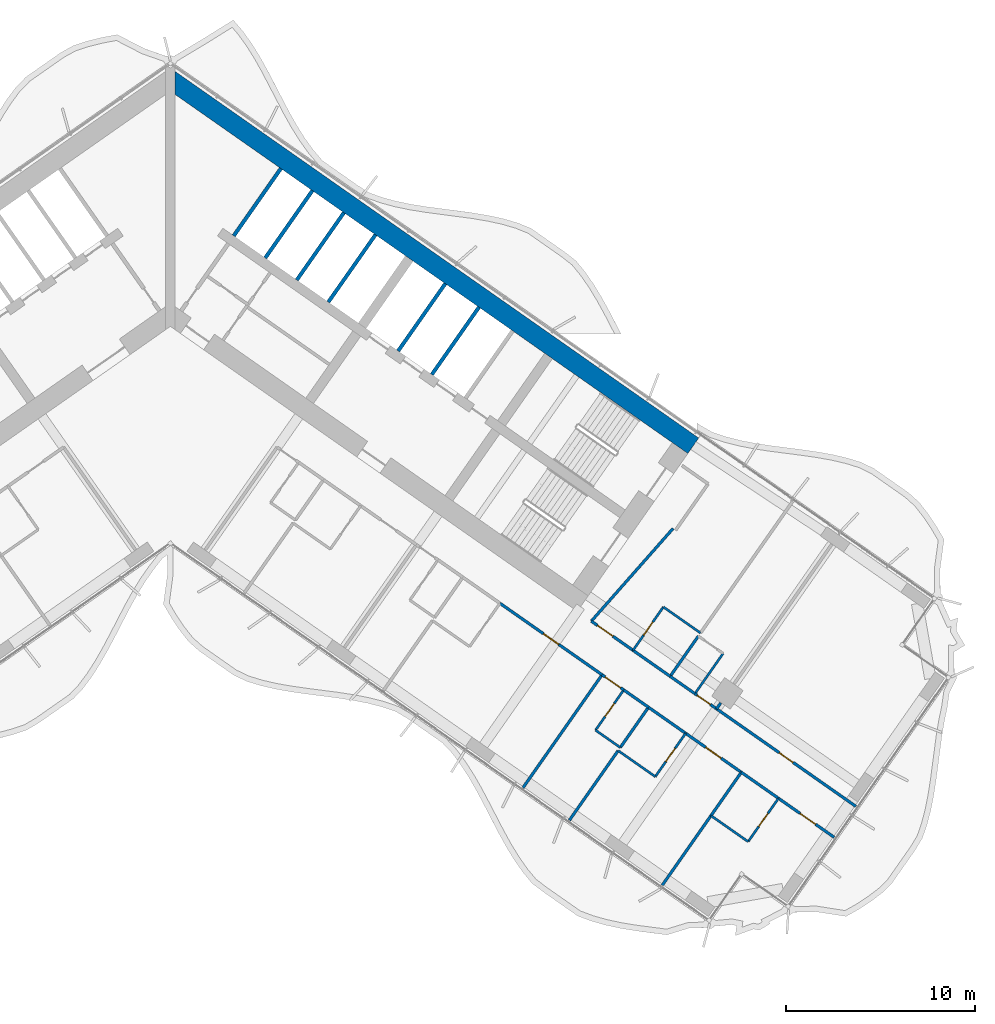
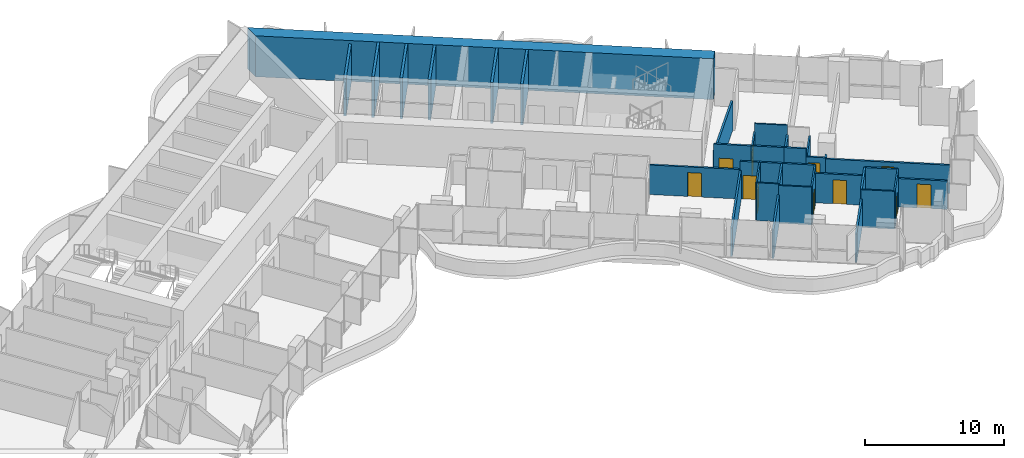
# One storey, part 16 of 24: 36 walls, 11 doors, 11 openings.
"""IFC4 building model written with IfcOpenShell, lengths in metres."""

from ifc_helpers import new_model, si_unit, direction, frame, frame_2d, origin, place, context, subcontext, project, spatial, polyline, rectangle, outline, extrude, material, layer, layer_set, type_object, element, fill, save


model = new_model("IFC4")

# Units and contexts
model_context = context("Model", 3, precision=1e-05, world=origin(), true_north=direction((0.0, 1.0)))
body_context = subcontext(model_context, "Body", "Model", "MODEL_VIEW")
ifc_project = project(units=[si_unit("LENGTHUNIT", "METRE"), si_unit("AREAUNIT", "SQUARE_METRE"), si_unit("VOLUMEUNIT", "CUBIC_METRE"), si_unit("PLANEANGLEUNIT", "RADIAN"), si_unit("MASSUNIT", "GRAM", prefix="KILO")], contexts=[model_context])

# Site, building, storey
site_placement = place(None, origin())
site = spatial("IfcSite", under=ifc_project, at=site_placement, CompositionType="ELEMENT")
building_placement = place(site_placement, origin())
building = spatial("IfcBuilding", under=site, at=building_placement, Name="Tel Ilan Convention Tower", CompositionType="ELEMENT")
storey_placement = place(building_placement, frame((0.0, 0.0, 90.5)))
storey = spatial("IfcBuildingStorey", under=building, at=storey_placement, Name="L18", CompositionType="ELEMENT", Elevation=90.5)

# Walls
ifc_material_1 = material(Name="Concrete C30/37", Category="concrete")
ifc_layer_1 = layer(ifc_material_1, 0.199951171875)
ifc_layer_set_1 = layer_set([ifc_layer_1], Name="Core Service Room Wall 200 mm C30/37")
wall_type_1 = type_object("IfcWallType", Name="Core Service Room Wall 200 mm C30/37", PredefinedType="SOLIDWALL", material=ifc_layer_set_1)
wall_1_placement = place(storey_placement, frame((3.355224609375, 3.5712890625, 0.0), z_axis=(0.0, 0.0, 1.0), x_axis=(0.57356780395, 0.819158088694, 0.0)))
element("IfcWall", 1, at=wall_1_placement, inside=storey, type_object=wall_type_1, Name="L18 core wall apex-E-b", PredefinedType="SOLIDWALL", context=body_context, shape_type="SweptSolid", body=[
    extrude(rectangle(XDim=4.35009765625, YDim=0.199951171875, at=frame_2d((2.175048828125, 0.0))), origin(), (0.0, 0.0, 1.0), 3.320068359375),
])
ifc_material_2 = material(Name="Concrete C60/75", Category="concrete")
ifc_layer_2 = layer(ifc_material_2, 1.0)
ifc_layer_set_2 = layer_set([ifc_layer_2], Name="Core Shear Wall 1000 mm C60/75")
wall_type_2 = type_object("IfcWallType", Name="Core Shear Wall 1000 mm C60/75", PredefinedType="SHEAR", material=ifc_layer_set_2)
wall_2_placement = place(storey_placement, frame((-0.036865234375, 11.8671875, 0.0), z_axis=(0.0, 0.0, 1.0), x_axis=(0.819155306259, -0.573571777746, 0.0)))
element("IfcWall", 2, at=wall_2_placement, inside=storey, type_object=wall_type_2, Name="L18 core wall E-back", PredefinedType="SHEAR", context=body_context, shape_type="SweptSolid", body=[
    extrude(outline(polyline([(33.8369140625, 0.5), (0.0, 0.5), (0.7001953125, -0.499755859375), (33.8369140625, -0.5), (33.8369140625, 0.5)])), origin(), (0.0, 0.0, 1.0), 3.60009765625),
])

# Wall, opening, door
ifc_material_3 = material(Name="Plasterboard on Steel Studs", Category="steel")
ifc_layer_3 = layer(ifc_material_3, 0.14990234375)
ifc_layer_set_3 = layer_set([ifc_layer_3], Name="Fire-rated Partition 150 EI 60")
wall_type_3 = type_object("IfcWallType", Name="Fire-rated Partition 150 EI 60", PredefinedType="PARTITIONING", material=ifc_layer_set_3)
wall_3_placement = place(storey_placement, frame((22.28369140625, -16.823974609375, 0.0), z_axis=(0.0, 0.0, 1.0), x_axis=(0.819176640776, -0.573541307325, 0.0)))
wall_3 = element("IfcWall", 3, at=wall_3_placement, inside=storey, type_object=wall_type_3, Name="Partition 001", PredefinedType="PARTITIONING", context=body_context, shape_type="SweptSolid", body=[
    extrude(rectangle(XDim=2.697509765625, YDim=0.14990234375, at=frame_2d((1.3486328125, 0.0))), origin(), (0.0, 0.0, 1.0), 3.320068359375),
])
opening_1_placement = place(wall_3_placement, frame((0.396240234375, 0.0, 0.0)))
opening_1 = element("IfcOpeningElement", 4, at=opening_1_placement, cuts=wall_3, Name="Opening L18-040", PredefinedType="OPENING", context=body_context, shape_type="SweptSolid", body=[
    extrude(rectangle(XDim=1.0, YDim=2.10009765625, at=frame_2d((0.5, 1.050048828125))), frame((0.0, 0.0849609375, 0.0), z_axis=(0.0, -1.0, 0.0), x_axis=(1.0, 0.0, 0.0)), (0.0, 0.0, 1.0), 0.169921875),
])
ifc_material_4 = material(Name="Timber Door Leaf in Steel Frame", Category="steel")
door_type_1 = type_object("IfcDoorType", Name="Hotel Room Entrance Fire Door 1000x2100", OperationType="NOTDEFINED", PredefinedType="DOOR", material=ifc_material_4)
door_1_placement = place(opening_1_placement, origin())
door_1 = element("IfcDoor", 5, at=door_1_placement, inside=storey, type_object=door_type_1, Name="Door L18-040", OperationType="SINGLE_SWING_RIGHT", OverallHeight=2.10009765625, OverallWidth=1.0, PredefinedType="DOOR", context=body_context, shape_type="SweptSolid", body=[
    extrude(rectangle(XDim=1.0, YDim=2.10009765625, at=frame_2d((0.5, 1.050048828125))), frame((0.0, 0.02490234375, 0.0), z_axis=(0.0, -1.0, 0.0), x_axis=(1.0, 0.0, 0.0)), (0.0, 0.0, 1.0), 0.050048828125),
])
fill(opening_1, door_1)

# Wall
wall_4_placement = place(storey_placement, frame((24.49072265625, -18.369384765625, 0.0), z_axis=(0.0, 0.0, 1.0), x_axis=(0.819179439794, -0.573537309527, 0.0)))
element("IfcWall", 6, at=wall_4_placement, inside=storey, type_object=wall_type_3, Name="Partition 002", PredefinedType="PARTITIONING", context=body_context, shape_type="SweptSolid", body=[
    extrude(rectangle(XDim=2.404296875, YDim=0.14990234375, at=frame_2d((1.2021484375, 0.0))), origin(), (0.0, 0.0, 1.0), 3.320068359375),
])

# Wall, opening, door
wall_5_placement = place(storey_placement, frame((28.91748046875, -21.468994140625, 0.0), z_axis=(0.0, 0.0, 1.0), x_axis=(-0.81914197737, 0.573590813132, 0.0)))
wall_5 = element("IfcWall", 7, at=wall_5_placement, inside=storey, type_object=wall_type_3, Name="Partition 003", PredefinedType="PARTITIONING", context=body_context, shape_type="SweptSolid", body=[
    extrude(rectangle(XDim=1.40283203125, YDim=0.14990234375, at=frame_2d((0.701416015625, 0.0))), origin(), (0.0, 0.0, 1.0), 2.60009765625),
])
opening_2_placement = place(wall_5_placement, frame((0.403076171875, 0.0, 0.0)))
opening_2 = element("IfcOpeningElement", 8, at=opening_2_placement, cuts=wall_5, Name="Opening L18-042", PredefinedType="OPENING", context=body_context, shape_type="SweptSolid", body=[
    extrude(rectangle(XDim=0.85009765625, YDim=2.10009765625, at=frame_2d((0.425048828125, 1.050048828125))), frame((0.0, 0.0849609375, 0.0), z_axis=(0.0, -1.0, 0.0), x_axis=(1.0, 0.0, 0.0)), (0.0, 0.0, 1.0), 0.169921875),
])
ifc_material_5 = material(Name="Timber Door Leaf in Steel Frame", Category="steel")
door_type_2 = type_object("IfcDoorType", Name="Room Fire Door 850x2100", OperationType="NOTDEFINED", PredefinedType="DOOR", material=ifc_material_5)
door_2_placement = place(opening_2_placement, origin())
door_2 = element("IfcDoor", 9, at=door_2_placement, inside=storey, type_object=door_type_2, Name="Door L18-042", OperationType="SINGLE_SWING_RIGHT", OverallHeight=2.10009765625, OverallWidth=0.85009765625, PredefinedType="DOOR", context=body_context, shape_type="SweptSolid", body=[
    extrude(rectangle(XDim=0.85009765625, YDim=2.10009765625, at=frame_2d((0.425048828125, 1.050048828125))), frame((0.0, 0.02490234375, 0.0), z_axis=(0.0, -1.0, 0.0), x_axis=(1.0, 0.0, 0.0)), (0.0, 0.0, 1.0), 0.050048828125),
])
fill(opening_2, door_2)

# Wall
wall_6_placement = place(storey_placement, frame((26.456787109375, -19.74609375, 0.0), z_axis=(0.0, 0.0, 1.0), x_axis=(0.819189013667, -0.573523634986, 0.0)))
element("IfcWall", 10, at=wall_6_placement, inside=storey, type_object=wall_type_3, Name="Partition 004", PredefinedType="PARTITIONING", context=body_context, shape_type="SweptSolid", body=[
    extrude(rectangle(XDim=1.60400390625, YDim=0.14990234375, at=frame_2d((0.802001953125, 0.0))), origin(), (0.0, 0.0, 1.0), 3.320068359375),
])

# Wall, opening, door
wall_7_placement = place(storey_placement, frame((28.914306640625, -21.466796875, 0.0), z_axis=(0.0, 0.0, 1.0), x_axis=(0.81915291695, -0.57357519006, 0.0)))
wall_7 = element("IfcWall", 11, at=wall_7_placement, inside=storey, type_object=wall_type_3, Name="Partition 005", PredefinedType="PARTITIONING", context=body_context, shape_type="SweptSolid", body=[
    extrude(rectangle(XDim=9.001953125, YDim=0.14990234375, at=frame_2d((4.5009765625, 0.0))), origin(), (0.0, 0.0, 1.0), 2.5),
])
opening_3_placement = place(wall_7_placement, frame((4.051025390625, 0.0, 0.0)))
opening_3 = element("IfcOpeningElement", 12, at=opening_3_placement, cuts=wall_7, Name="Opening L18-043", PredefinedType="OPENING", context=body_context, shape_type="SweptSolid", body=[
    extrude(rectangle(XDim=0.89990234375, YDim=2.10009765625, at=frame_2d((0.449951171875, 1.050048828125))), frame((0.0, 0.0849609375, 0.0), z_axis=(0.0, -1.0, 0.0), x_axis=(1.0, 0.0, 0.0)), (0.0, 0.0, 1.0), 0.169921875),
])
ifc_material_6 = material(Name="Timber Door Leaf in Steel Frame", Category="steel")
door_type_3 = type_object("IfcDoorType", Name="Room Fire Door 900x2100", OperationType="NOTDEFINED", PredefinedType="DOOR", material=ifc_material_6)
door_3_placement = place(opening_3_placement, origin())
door_3 = element("IfcDoor", 13, at=door_3_placement, inside=storey, type_object=door_type_3, Name="Door L18-043", OperationType="SINGLE_SWING_RIGHT", OverallHeight=2.10009765625, OverallWidth=0.89990234375, PredefinedType="DOOR", context=body_context, shape_type="SweptSolid", body=[
    extrude(rectangle(XDim=0.89990234375, YDim=2.10009765625, at=frame_2d((0.449951171875, 1.050048828125))), frame((0.0, 0.02490234375, 0.0), z_axis=(0.0, -1.0, 0.0), x_axis=(1.0, 0.0, 0.0)), (0.0, 0.0, 1.0), 0.050048828125),
])
fill(opening_3, door_3)

wall_8_placement = place(storey_placement, frame((22.85546875, -19.666015625, 0.0), z_axis=(0.0, 0.0, 1.0), x_axis=(-0.819153746897, 0.573574004767, 0.0)))
wall_8 = element("IfcWall", 14, at=wall_8_placement, inside=storey, type_object=wall_type_3, Name="Partition 012", PredefinedType="PARTITIONING", context=body_context, shape_type="SweptSolid", body=[
    extrude(rectangle(XDim=6.60302734375, YDim=0.14990234375, at=frame_2d((3.301513671875, 0.0))), origin(), (0.0, 0.0, 1.0), 2.60009765625),
])
opening_4_placement = place(wall_8_placement, frame((2.802001953125, 0.0, 0.0)))
opening_4 = element("IfcOpeningElement", 15, at=opening_4_placement, cuts=wall_8, Name="Opening L18-032", PredefinedType="OPENING", context=body_context, shape_type="SweptSolid", body=[
    extrude(rectangle(XDim=1.0, YDim=2.10009765625, at=frame_2d((0.5, 1.050048828125))), frame((0.0, 0.0849609375, 0.0), z_axis=(0.0, -1.0, 0.0), x_axis=(1.0, 0.0, 0.0)), (0.0, 0.0, 1.0), 0.169921875),
])
door_4_placement = place(opening_4_placement, origin())
door_4 = element("IfcDoor", 16, at=door_4_placement, inside=storey, type_object=door_type_1, Name="Door L18-032", OperationType="SINGLE_SWING_LEFT", OverallHeight=2.10009765625, OverallWidth=1.0, PredefinedType="DOOR", context=body_context, shape_type="SweptSolid", body=[
    extrude(rectangle(XDim=1.0, YDim=2.10009765625, at=frame_2d((0.5, 1.050048828125))), frame((0.0, 0.02490234375, 0.0), z_axis=(0.0, -1.0, 0.0), x_axis=(1.0, 0.0, 0.0)), (0.0, 0.0, 1.0), 0.050048828125),
])
fill(opening_4, door_4)

wall_9_placement = place(storey_placement, frame((24.00146484375, -20.46826171875, 0.0), z_axis=(0.0, 0.0, 1.0), x_axis=(-0.81914197737, 0.573590813132, 0.0)))
wall_9 = element("IfcWall", 17, at=wall_9_placement, inside=storey, type_object=wall_type_3, Name="Partition 014", PredefinedType="PARTITIONING", context=body_context, shape_type="SweptSolid", body=[
    extrude(rectangle(XDim=1.40283203125, YDim=0.14990234375, at=frame_2d((0.701416015625, 0.0))), origin(), (0.0, 0.0, 1.0), 3.320068359375),
])
opening_5_placement = place(wall_9_placement, frame((0.200927734375, 0.0, 0.0)))
opening_5 = element("IfcOpeningElement", 18, at=opening_5_placement, cuts=wall_9, Name="Opening L18-034", PredefinedType="OPENING", context=body_context, shape_type="SweptSolid", body=[
    extrude(rectangle(XDim=1.0, YDim=2.10009765625, at=frame_2d((0.5, 1.050048828125))), frame((0.0, 0.0849609375, 0.0), z_axis=(0.0, -1.0, 0.0), x_axis=(1.0, 0.0, 0.0)), (0.0, 0.0, 1.0), 0.169921875),
])
door_5_placement = place(opening_5_placement, origin())
door_5 = element("IfcDoor", 19, at=door_5_placement, inside=storey, type_object=door_type_1, Name="Door L18-034", OperationType="SINGLE_SWING_LEFT", OverallHeight=2.10009765625, OverallWidth=1.0, PredefinedType="DOOR", context=body_context, shape_type="SweptSolid", body=[
    extrude(rectangle(XDim=1.0, YDim=2.10009765625, at=frame_2d((0.5, 1.050048828125))), frame((0.0, 0.02490234375, 0.0), z_axis=(0.0, -1.0, 0.0), x_axis=(1.0, 0.0, 0.0)), (0.0, 0.0, 1.0), 0.050048828125),
])
fill(opening_5, door_5)

# Wall
wall_10_placement = place(storey_placement, frame((25.31298828125, -21.38671875, 0.0), z_axis=(0.0, 0.0, 1.0), x_axis=(-0.819117502046, 0.573625764625, 0.0)))
element("IfcWall", 20, at=wall_10_placement, inside=storey, type_object=wall_type_3, Name="Partition 015", PredefinedType="PARTITIONING", context=body_context, shape_type="SweptSolid", body=[
    extrude(rectangle(XDim=1.60400390625, YDim=0.14990234375, at=frame_2d((0.802001953125, 0.0))), origin(), (0.0, 0.0, 1.0), 3.320068359375),
])

# Wall, opening, door
wall_11_placement = place(storey_placement, frame((30.227783203125, -24.828125, 0.0), z_axis=(0.0, 0.0, 1.0), x_axis=(-0.819145961204, 0.573585123798, 0.0)))
wall_11 = element("IfcWall", 21, at=wall_11_placement, inside=storey, type_object=wall_type_3, Name="Partition 016", PredefinedType="PARTITIONING", context=body_context, shape_type="SweptSolid", body=[
    extrude(rectangle(XDim=3.60302734375, YDim=0.14990234375, at=frame_2d((1.801513671875, 0.0))), origin(), (0.0, 0.0, 1.0), 2.60009765625),
])
opening_6_placement = place(wall_11_placement, frame((1.302001953125, 0.0, 0.0)))
opening_6 = element("IfcOpeningElement", 22, at=opening_6_placement, cuts=wall_11, Name="Opening L18-036", PredefinedType="OPENING", context=body_context, shape_type="SweptSolid", body=[
    extrude(rectangle(XDim=1.0, YDim=2.10009765625, at=frame_2d((0.5, 1.050048828125))), frame((0.0, 0.0849609375, 0.0), z_axis=(0.0, -1.0, 0.0), x_axis=(1.0, 0.0, 0.0)), (0.0, 0.0, 1.0), 0.169921875),
])
door_6_placement = place(opening_6_placement, origin())
door_6 = element("IfcDoor", 23, at=door_6_placement, inside=storey, type_object=door_type_1, Name="Door L18-036", OperationType="SINGLE_SWING_RIGHT", OverallHeight=2.10009765625, OverallWidth=1.0, PredefinedType="DOOR", context=body_context, shape_type="SweptSolid", body=[
    extrude(rectangle(XDim=1.0, YDim=2.10009765625, at=frame_2d((0.5, 1.050048828125))), frame((0.0, 0.02490234375, 0.0), z_axis=(0.0, -1.0, 0.0), x_axis=(1.0, 0.0, 0.0)), (0.0, 0.0, 1.0), 0.050048828125),
])
fill(opening_6, door_6)

# Wall
wall_12_placement = place(storey_placement, frame((27.27880859375, -22.76318359375, 0.0), z_axis=(0.0, 0.0, 1.0), x_axis=(-0.819146032251, 0.573585022335, 0.0)))
element("IfcWall", 24, at=wall_12_placement, inside=storey, type_object=wall_type_3, Name="Partition 017", PredefinedType="PARTITIONING", context=body_context, shape_type="SweptSolid", body=[
    extrude(rectangle(XDim=2.404052734375, YDim=0.14990234375, at=frame_2d((1.2021484375, 0.0))), origin(), (0.0, 0.0, 1.0), 3.320068359375),
])

# Wall, opening, door
wall_13_placement = place(storey_placement, frame((35.14111328125, -28.268310546875, 0.0), z_axis=(0.0, 0.0, 1.0), x_axis=(-0.819149096931, 0.573580645591, 0.0)))
wall_13 = element("IfcWall", 25, at=wall_13_placement, inside=storey, type_object=wall_type_3, Name="Partition 018", PredefinedType="PARTITIONING", context=body_context, shape_type="SweptSolid", body=[
    extrude(rectangle(XDim=3.600830078125, YDim=0.14990234375, at=frame_2d((1.80029296875, 0.0))), origin(), (0.0, 0.0, 1.0), 2.5),
])
opening_7_placement = place(wall_13_placement, frame((1.199951171875, 0.0, 0.0)))
opening_7 = element("IfcOpeningElement", 26, at=opening_7_placement, cuts=wall_13, Name="Opening L18-038", PredefinedType="OPENING", context=body_context, shape_type="SweptSolid", body=[
    extrude(rectangle(XDim=1.0, YDim=2.10009765625, at=frame_2d((0.5, 1.050048828125))), frame((0.0, 0.0849609375, 0.0), z_axis=(0.0, -1.0, 0.0), x_axis=(1.0, 0.0, 0.0)), (0.0, 0.0, 1.0), 0.169921875),
])
door_7_placement = place(opening_7_placement, origin())
door_7 = element("IfcDoor", 27, at=door_7_placement, inside=storey, type_object=door_type_1, Name="Door L18-038", OperationType="SINGLE_SWING_LEFT", OverallHeight=2.10009765625, OverallWidth=1.0, PredefinedType="DOOR", context=body_context, shape_type="SweptSolid", body=[
    extrude(rectangle(XDim=1.0, YDim=2.10009765625, at=frame_2d((0.5, 1.050048828125))), frame((0.0, 0.02490234375, 0.0), z_axis=(0.0, -1.0, 0.0), x_axis=(1.0, 0.0, 0.0)), (0.0, 0.0, 1.0), 0.050048828125),
])
fill(opening_7, door_7)

# Walls
wall_14_placement = place(storey_placement, frame((32.19384765625, -26.20458984375, 0.0), z_axis=(0.0, 0.0, 1.0), x_axis=(-0.819146032251, 0.573585022335, 0.0)))
element("IfcWall", 28, at=wall_14_placement, inside=storey, type_object=wall_type_3, Name="Partition 019", PredefinedType="PARTITIONING", context=body_context, shape_type="SweptSolid", body=[
    extrude(rectangle(XDim=2.404052734375, YDim=0.14990234375, at=frame_2d((1.2021484375, 0.0))), origin(), (0.0, 0.0, 1.0), 3.320068359375),
])
wall_15_placement = place(storey_placement, frame((22.285400390625, -16.8251953125, 0.0), z_axis=(0.0, 0.0, 1.0), x_axis=(0.661551268245, 0.749899939647, 0.0)))
element("IfcWall", 29, at=wall_15_placement, inside=storey, type_object=wall_type_3, Name="Partition 047", PredefinedType="PARTITIONING", context=body_context, shape_type="SweptSolid", body=[
    extrude(rectangle(XDim=6.541015625, YDim=0.14990234375, at=frame_2d((3.2705078125, 0.0))), origin(), (0.0, 0.0, 1.0), 2.60009765625),
])
wall_16_placement = place(storey_placement, frame((27.950927734375, -17.61572265625, 0.0), z_axis=(0.0, 0.0, 1.0), x_axis=(-0.573544201094, -0.819174614714, 0.0)))
element("IfcWall", 30, at=wall_16_placement, inside=storey, type_object=wall_type_3, Name="Partition 050", PredefinedType="PARTITIONING", context=body_context, shape_type="SweptSolid", body=[
    extrude(rectangle(XDim=2.60205078125, YDim=0.14990234375, at=frame_2d((1.301025390625, 0.0))), origin(), (0.0, 0.0, 1.0), 2.60009765625),
])
wall_17_placement = place(storey_placement, frame((29.1337890625, -21.156494140625, 0.0), z_axis=(0.0, 0.0, 1.0), x_axis=(-0.572944929411, -0.819593867633, 0.0)))
element("IfcWall", 31, at=wall_17_placement, inside=storey, type_object=wall_type_3, Name="Partition 054", PredefinedType="PARTITIONING", context=body_context, shape_type="SweptSolid", body=[
    extrude(rectangle(XDim=0.380126953125, YDim=0.14990234375, at=frame_2d((0.18994140625, 0.0))), origin(), (0.0, 0.0, 1.0), 2.60009765625),
])
wall_18_placement = place(storey_placement, frame((22.853759765625, -19.664794921875, 0.0), z_axis=(0.0, 0.0, 1.0), x_axis=(-0.573572324301, -0.819154923562, 0.0)))
element("IfcWall", 32, at=wall_18_placement, inside=storey, type_object=wall_type_3, Name="Partition 069", PredefinedType="PARTITIONING", context=body_context, shape_type="SweptSolid", body=[
    extrude(rectangle(XDim=7.2998046875, YDim=0.14990234375, at=frame_2d((3.64990234375, 0.0))), origin(), (0.0, 0.0, 1.0), 2.5),
])
wall_19_placement = place(storey_placement, frame((23.705810546875, -23.67822265625, 0.0), z_axis=(0.0, 0.0, 1.0), x_axis=(-0.573556991349, -0.819165659482, 0.0)))
element("IfcWall", 33, at=wall_19_placement, inside=storey, type_object=wall_type_3, Name="Partition 072", PredefinedType="PARTITIONING", context=body_context, shape_type="SweptSolid", body=[
    extrude(rectangle(XDim=4.5009765625, YDim=0.14990234375, at=frame_2d((2.25048828125, 0.0))), origin(), (0.0, 0.0, 1.0), 2.5),
])
wall_20_placement = place(storey_placement, frame((25.311279296875, -21.385498046875, 0.0), z_axis=(0.0, 0.0, 1.0), x_axis=(-0.573537965655, -0.819178980414, 0.0)))
element("IfcWall", 34, at=wall_20_placement, inside=storey, type_object=wall_type_3, Name="Partition 073", PredefinedType="PARTITIONING", context=body_context, shape_type="SweptSolid", body=[
    extrude(rectangle(XDim=2.60009765625, YDim=0.14990234375, at=frame_2d((1.300048828125, 0.0))), origin(), (0.0, 0.0, 1.0), 3.320068359375),
])
wall_21_placement = place(storey_placement, frame((28.620849609375, -27.11962890625, 0.0), z_axis=(0.0, 0.0, 1.0), x_axis=(-0.573593387921, -0.81914017441, 0.0)))
element("IfcWall", 35, at=wall_21_placement, inside=storey, type_object=wall_type_3, Name="Partition 076", PredefinedType="PARTITIONING", context=body_context, shape_type="SweptSolid", body=[
    extrude(rectangle(XDim=4.5009765625, YDim=0.14990234375, at=frame_2d((2.25048828125, 0.0))), origin(), (0.0, 0.0, 1.0), 2.5),
])
wall_22_placement = place(storey_placement, frame((30.226318359375, -24.826904296875, 0.0), z_axis=(0.0, 0.0, 1.0), x_axis=(-0.573614360281, -0.819125488359, 0.0)))
element("IfcWall", 36, at=wall_22_placement, inside=storey, type_object=wall_type_3, Name="Partition 077", PredefinedType="PARTITIONING", context=body_context, shape_type="SweptSolid", body=[
    extrude(rectangle(XDim=2.80224609375, YDim=0.14990234375, at=frame_2d((1.401123046875, 0.0))), origin(), (0.0, 0.0, 1.0), 3.320068359375),
])
ifc_material_7 = material(Name="Concrete C30/37", Category="concrete")
ifc_layer_4 = layer(ifc_material_7, 0.199951171875)
ifc_layer_set_4 = layer_set([ifc_layer_4], Name="Lift Shaft Wall 200 mm C30/37")
wall_type_4 = type_object("IfcWallType", Name="Lift Shaft Wall 200 mm C30/37", PredefinedType="SOLIDWALL", material=ifc_layer_set_4)
wall_23_placement = place(storey_placement, frame((5.0244140625, 2.402587890625, 0.0), z_axis=(0.0, 0.0, 1.0), x_axis=(0.573530143085, 0.819184457233, 0.0)))
element("IfcWall", 37, at=wall_23_placement, inside=storey, type_object=wall_type_4, Name="L18 core wall bank-E1-p0", PredefinedType="SOLIDWALL", context=body_context, shape_type="SweptSolid", body=[
    extrude(rectangle(XDim=4.35009765625, YDim=0.199951171875, at=frame_2d((2.175048828125, 0.0))), origin(), (0.0, 0.0, 1.0), 3.60009765625),
])
for number, where, z_axis, x_axis, name in (
    (38, (6.693359375, 1.234130859375, 0.0), (0.0, 0.0, 1.0), (0.573594173421, 0.819139624372, 0.0), "L18 core wall bank-E1-p1"),
    (39, (8.3623046875, 0.0654296875, 0.0), (0.0, 0.0, 1.0), (0.573594173421, 0.819139624372, 0.0), "L18 core wall bank-E1-p2"),
    (40, (12.05859375, -2.52294921875, 0.0), (0.0, 0.0, 1.0), (0.573594173421, 0.819139624372, 0.0), "L18 core wall bank-E2-p0"),
):
    element("IfcWall", number, at=place(storey_placement, frame(where, z_axis=z_axis, x_axis=x_axis)), inside=storey, type_object=wall_type_4, Name=name, PredefinedType="SOLIDWALL", context=body_context, shape_type="SweptSolid", body=[
        extrude(rectangle(XDim=4.349853515625, YDim=0.199951171875, at=frame_2d((2.1748046875, 0.0))), origin(), (0.0, 0.0, 1.0), 3.60009765625),
    ])
wall_24_placement = place(storey_placement, frame((13.84033203125, -3.7705078125, 0.0), z_axis=(0.0, 0.0, 1.0), x_axis=(0.57356780395, 0.819158088694, 0.0)))
element("IfcWall", 41, at=wall_24_placement, inside=storey, type_object=wall_type_4, Name="L18 core wall bank-E2-p1", PredefinedType="SOLIDWALL", context=body_context, shape_type="SweptSolid", body=[
    extrude(rectangle(XDim=4.35009765625, YDim=0.199951171875, at=frame_2d((2.175048828125, 0.0))), origin(), (0.0, 0.0, 1.0), 3.60009765625),
])

# Wall, opening, door
ifc_material_8 = material(Name="Plasterboard on Steel Studs", Category="steel")
ifc_layer_5 = layer(ifc_material_8, 0.1201171875)
ifc_layer_set_5 = layer_set([ifc_layer_5], Name="Moisture-resistant Partition 120")
wall_type_5 = type_object("IfcWallType", Name="Moisture-resistant Partition 120", PredefinedType="PARTITIONING", material=ifc_layer_set_5)
wall_25_placement = place(storey_placement, frame((26.09765625, -16.076416015625, 0.0), z_axis=(0.0, 0.0, 1.0), x_axis=(-0.573550118428, -0.819170471667, 0.0)))
wall_25 = element("IfcWall", 42, at=wall_25_placement, inside=storey, type_object=wall_type_5, Name="Partition 044", PredefinedType="PARTITIONING", context=body_context, shape_type="SweptSolid", body=[
    extrude(rectangle(XDim=2.800048828125, YDim=0.1201171875, at=frame_2d((1.39990234375, 0.0))), origin(), (0.0, 0.0, 1.0), 2.60009765625),
])
opening_8_placement = place(wall_25_placement, frame((0.97509765625, 0.0, 0.0)))
opening_8 = element("IfcOpeningElement", 43, at=opening_8_placement, cuts=wall_25, Name="Opening L18-039", PredefinedType="OPENING", context=body_context, shape_type="SweptSolid", body=[
    extrude(rectangle(XDim=0.85009765625, YDim=2.050048828125, at=frame_2d((0.425048828125, 1.02490234375))), frame((0.0, 0.070068359375, 0.0), z_axis=(0.0, -1.0, 0.0), x_axis=(1.0, 0.0, 0.0)), (0.0, 0.0, 1.0), 0.14013671875),
])
ifc_material_9 = material(Name="Timber Door Leaf in Steel Frame", Category="steel")
door_type_4 = type_object("IfcDoorType", Name="Bathroom Timber Door 850x2050", OperationType="NOTDEFINED", PredefinedType="DOOR", material=ifc_material_9)
door_8_placement = place(opening_8_placement, origin())
door_8 = element("IfcDoor", 44, at=door_8_placement, inside=storey, type_object=door_type_4, Name="Door L18-039", OperationType="SINGLE_SWING_LEFT", OverallHeight=2.050048828125, OverallWidth=0.85009765625, PredefinedType="DOOR", context=body_context, shape_type="SweptSolid", body=[
    extrude(rectangle(XDim=0.85009765625, YDim=2.050048828125, at=frame_2d((0.425048828125, 1.02490234375))), frame((0.0, 0.02490234375, 0.0), z_axis=(0.0, -1.0, 0.0), x_axis=(1.0, 0.0, 0.0)), (0.0, 0.0, 1.0), 0.050048828125),
])
fill(opening_8, door_8)

# Walls
wall_26_placement = place(storey_placement, frame((28.06494140625, -17.45263671875, 0.0), z_axis=(0.0, 0.0, 1.0), x_axis=(-0.819155442668, 0.573571582932, 0.0)))
element("IfcWall", 45, at=wall_26_placement, inside=storey, type_object=wall_type_5, Name="Partition 045", PredefinedType="PARTITIONING", context=body_context, shape_type="SweptSolid", body=[
    extrude(rectangle(XDim=2.39990234375, YDim=0.1201171875, at=frame_2d((1.199951171875, 0.0))), origin(), (0.0, 0.0, 1.0), 3.320068359375),
])
wall_27_placement = place(storey_placement, frame((27.77001953125, -20.66552734375, 0.0), z_axis=(0.0, 0.0, 1.0), x_axis=(0.573537965655, 0.819178980414, 0.0)))
element("IfcWall", 46, at=wall_27_placement, inside=storey, type_object=wall_type_5, Name="Partition 051", PredefinedType="PARTITIONING", context=body_context, shape_type="SweptSolid", body=[
    extrude(rectangle(XDim=2.60009765625, YDim=0.1201171875, at=frame_2d((1.300048828125, 0.0))), origin(), (0.0, 0.0, 1.0), 2.60009765625),
])

# Wall, opening, door
wall_28_placement = place(storey_placement, frame((23.999755859375, -20.46728515625, 0.0), z_axis=(0.0, 0.0, 1.0), x_axis=(-0.573582085028, -0.819148089014, 0.0)))
wall_28 = element("IfcWall", 47, at=wall_28_placement, inside=storey, type_object=wall_type_5, Name="Partition 070", PredefinedType="PARTITIONING", context=body_context, shape_type="SweptSolid", body=[
    extrude(rectangle(XDim=2.599853515625, YDim=0.1201171875, at=frame_2d((1.2998046875, 0.0))), origin(), (0.0, 0.0, 1.0), 3.320068359375),
])
opening_9_placement = place(wall_28_placement, frame((0.875, 0.0, 0.0)))
opening_9 = element("IfcOpeningElement", 48, at=opening_9_placement, cuts=wall_28, Name="Opening L18-033", PredefinedType="OPENING", context=body_context, shape_type="SweptSolid", body=[
    extrude(rectangle(XDim=0.85009765625, YDim=2.050048828125, at=frame_2d((0.425048828125, 1.02490234375))), frame((0.0, 0.070068359375, 0.0), z_axis=(0.0, -1.0, 0.0), x_axis=(1.0, 0.0, 0.0)), (0.0, 0.0, 1.0), 0.14013671875),
])
door_9_placement = place(opening_9_placement, origin())
door_9 = element("IfcDoor", 49, at=door_9_placement, inside=storey, type_object=door_type_4, Name="Door L18-033", OperationType="SINGLE_SWING_RIGHT", OverallHeight=2.050048828125, OverallWidth=0.85009765625, PredefinedType="DOOR", context=body_context, shape_type="SweptSolid", body=[
    extrude(rectangle(XDim=0.85009765625, YDim=2.050048828125, at=frame_2d((0.425048828125, 1.02490234375))), frame((0.0, 0.02490234375, 0.0), z_axis=(0.0, -1.0, 0.0), x_axis=(1.0, 0.0, 0.0)), (0.0, 0.0, 1.0), 0.050048828125),
])
fill(opening_9, door_9)

# Walls
wall_29_placement = place(storey_placement, frame((22.5087890625, -22.598388671875, 0.0), z_axis=(0.0, 0.0, 1.0), x_axis=(0.819131543282, -0.57360571371, 0.0)))
element("IfcWall", 50, at=wall_29_placement, inside=storey, type_object=wall_type_5, Name="Partition 071", PredefinedType="PARTITIONING", context=body_context, shape_type="SweptSolid", body=[
    extrude(rectangle(XDim=1.599853515625, YDim=0.1201171875, at=frame_2d((0.7998046875, 0.0))), origin(), (0.0, 0.0, 1.0), 3.320068359375),
])
wall_30_placement = place(storey_placement, frame((23.70458984375, -23.679931640625, 0.0), z_axis=(0.0, 0.0, 1.0), x_axis=(0.819188907105, -0.573523787192, 0.0)))
element("IfcWall", 51, at=wall_30_placement, inside=storey, type_object=wall_type_5, Name="Partition 074", PredefinedType="PARTITIONING", context=body_context, shape_type="SweptSolid", body=[
    extrude(rectangle(XDim=2.39990234375, YDim=0.1201171875, at=frame_2d((1.199951171875, 0.0))), origin(), (0.0, 0.0, 1.0), 3.320068359375),
])

# Wall, opening, door
wall_31_placement = place(storey_placement, frame((25.672119140625, -25.056396484375, 0.0), z_axis=(0.0, 0.0, 1.0), x_axis=(0.573550118428, 0.819170471667, 0.0)))
wall_31 = element("IfcWall", 52, at=wall_31_placement, inside=storey, type_object=wall_type_5, Name="Partition 075", PredefinedType="PARTITIONING", context=body_context, shape_type="SweptSolid", body=[
    extrude(rectangle(XDim=2.800048828125, YDim=0.1201171875, at=frame_2d((1.39990234375, 0.0))), origin(), (0.0, 0.0, 1.0), 3.320068359375),
])
opening_10_placement = place(wall_31_placement, frame((0.97509765625, 0.0, 0.0)))
opening_10 = element("IfcOpeningElement", 53, at=opening_10_placement, cuts=wall_31, Name="Opening L18-035", PredefinedType="OPENING", context=body_context, shape_type="SweptSolid", body=[
    extrude(rectangle(XDim=0.85009765625, YDim=2.050048828125, at=frame_2d((0.425048828125, 1.02490234375))), frame((0.0, 0.070068359375, 0.0), z_axis=(0.0, -1.0, 0.0), x_axis=(1.0, 0.0, 0.0)), (0.0, 0.0, 1.0), 0.14013671875),
])
door_10_placement = place(opening_10_placement, origin())
door_10 = element("IfcDoor", 54, at=door_10_placement, inside=storey, type_object=door_type_4, Name="Door L18-035", OperationType="SINGLE_SWING_LEFT", OverallHeight=2.050048828125, OverallWidth=0.85009765625, PredefinedType="DOOR", context=body_context, shape_type="SweptSolid", body=[
    extrude(rectangle(XDim=0.85009765625, YDim=2.050048828125, at=frame_2d((0.425048828125, 1.02490234375))), frame((0.0, 0.02490234375, 0.0), z_axis=(0.0, -1.0, 0.0), x_axis=(1.0, 0.0, 0.0)), (0.0, 0.0, 1.0), 0.050048828125),
])
fill(opening_10, door_10)

# Wall
wall_32_placement = place(storey_placement, frame((28.61962890625, -27.121337890625, 0.0), z_axis=(0.0, 0.0, 1.0), x_axis=(0.819141114317, -0.573592045652, 0.0)))
element("IfcWall", 55, at=wall_32_placement, inside=storey, type_object=wall_type_5, Name="Partition 078", PredefinedType="PARTITIONING", context=body_context, shape_type="SweptSolid", body=[
    extrude(rectangle(XDim=2.400146484375, YDim=0.1201171875, at=frame_2d((1.2001953125, 0.0))), origin(), (0.0, 0.0, 1.0), 3.320068359375),
])

# Wall, opening, door
wall_33_placement = place(storey_placement, frame((30.5869140625, -28.497802734375, 0.0), z_axis=(0.0, 0.0, 1.0), x_axis=(0.573608623498, 0.819129505664, 0.0)))
wall_33 = element("IfcWall", 56, at=wall_33_placement, inside=storey, type_object=wall_type_5, Name="Partition 079", PredefinedType="PARTITIONING", context=body_context, shape_type="SweptSolid", body=[
    extrude(rectangle(XDim=2.800048828125, YDim=0.1201171875, at=frame_2d((1.39990234375, 0.0))), origin(), (0.0, 0.0, 1.0), 3.320068359375),
])
opening_11_placement = place(wall_33_placement, frame((0.97509765625, 0.0, 0.0)))
opening_11 = element("IfcOpeningElement", 57, at=opening_11_placement, cuts=wall_33, Name="Opening L18-037", PredefinedType="OPENING", context=body_context, shape_type="SweptSolid", body=[
    extrude(rectangle(XDim=0.85009765625, YDim=2.050048828125, at=frame_2d((0.425048828125, 1.02490234375))), frame((0.0, 0.070068359375, 0.0), z_axis=(0.0, -1.0, 0.0), x_axis=(1.0, 0.0, 0.0)), (0.0, 0.0, 1.0), 0.14013671875),
])
door_11_placement = place(opening_11_placement, origin())
door_11 = element("IfcDoor", 58, at=door_11_placement, inside=storey, type_object=door_type_4, Name="Door L18-037", OperationType="SINGLE_SWING_LEFT", OverallHeight=2.050048828125, OverallWidth=0.85009765625, PredefinedType="DOOR", context=body_context, shape_type="SweptSolid", body=[
    extrude(rectangle(XDim=0.85009765625, YDim=2.050048828125, at=frame_2d((0.425048828125, 1.02490234375))), frame((0.0, 0.02490234375, 0.0), z_axis=(0.0, -1.0, 0.0), x_axis=(1.0, 0.0, 0.0)), (0.0, 0.0, 1.0), 0.050048828125),
])
fill(opening_11, door_11)

save(model, "model.ifc")
